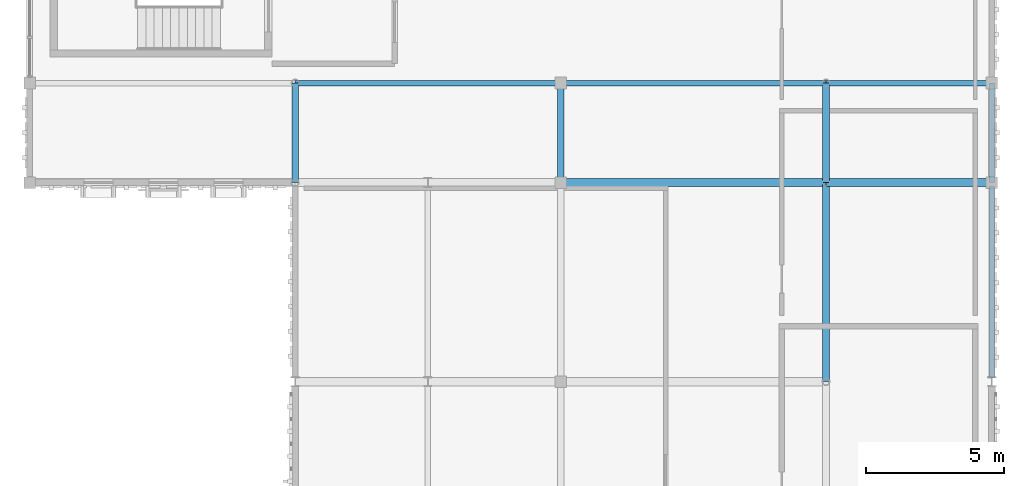
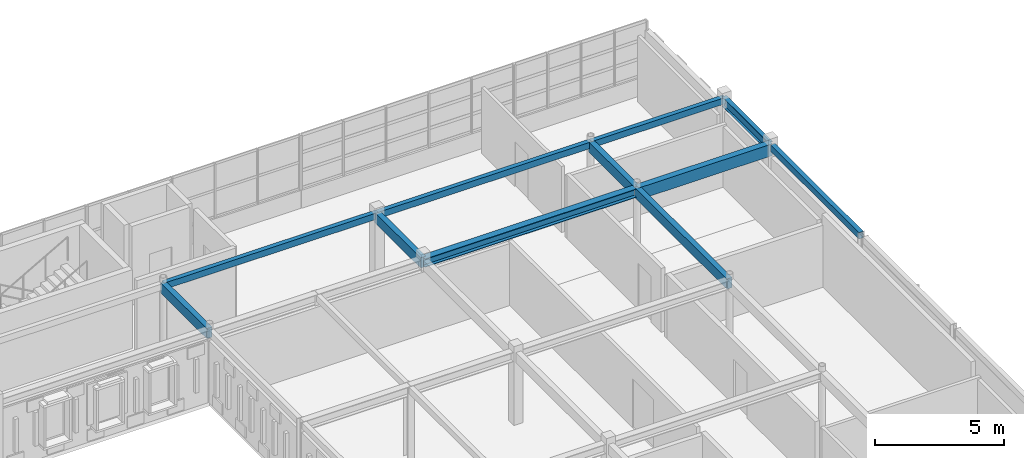
# One storey, part 17 of 46: 11 beams.
"""IFC4 building model written with IfcOpenShell, lengths in metres."""

from ifc_helpers import new_model, si_unit, direction, frame, origin, origin_2d, place, context, subcontext, project, spatial, rectangle, hollow_rectangle, i_section, extrude, material, material_profile, profile_set, type_object, element, save


model = new_model("IFC4")

# Units and contexts
model_context = context("Model", 3, precision=1e-05, world=origin(), true_north=direction((0.0, 1.0)))
body_context = subcontext(model_context, "Body", "Model", "MODEL_VIEW")
ifc_project = project(units=[si_unit("LENGTHUNIT", "METRE"), si_unit("AREAUNIT", "SQUARE_METRE"), si_unit("VOLUMEUNIT", "CUBIC_METRE"), si_unit("PLANEANGLEUNIT", "RADIAN"), si_unit("MASSUNIT", "GRAM", prefix="KILO")], contexts=[model_context])

# Site, building, storey
site_placement = place(None, origin())
site = spatial("IfcSite", under=ifc_project, at=site_placement, CompositionType="ELEMENT")
building_placement = place(site_placement, origin())
building = spatial("IfcBuilding", under=site, at=building_placement, Name="Nzembalo Square Collegiate School", CompositionType="ELEMENT")
storey_placement = place(building_placement, frame((0.0, 0.0, 17.340087890625)))
storey = spatial("IfcBuildingStorey", under=building, at=storey_placement, Name="L04", CompositionType="ELEMENT", Elevation=17.340087890625)

# Beams
ifc_material_1 = material(Name="Glulam GL28h", Category="wood")
ifc_material_profile_1 = material_profile(ifc_material_1, rectangle(XDim=0.280029296875, YDim=0.56005859375, at=origin_2d()), Name="GL28h 280x560")
ifc_profile_set_1 = profile_set([ifc_material_profile_1], Name="Glulam GL28h")
beam_type_1 = type_object("IfcBeamType", Name="B05", PredefinedType="BEAM", material=ifc_profile_set_1)
beam_1_placement = place(storey_placement, frame((159.60009765625, 79.199951171875, 3.155029296875), z_axis=(1.0, 0.0, 0.0), x_axis=(0.0, 1.0, 0.0)))
element("IfcBeam", 1, at=beam_1_placement, inside=storey, type_object=beam_type_1, Name="Beam B05 L04", PredefinedType="BEAM", context=body_context, shape_type="SweptSolid", body=[
    extrude(rectangle(XDim=0.280029296875, YDim=0.56005859375, at=origin_2d()), origin(), (0.0, 0.0, 1.0), 6.0),
])
ifc_material_2 = material(Name="Glulam GL28h", Category="wood")
ifc_material_profile_2 = material_profile(ifc_material_2, rectangle(XDim=0.239990234375, YDim=0.47998046875, at=origin_2d()), Name="GL28h 240x480")
ifc_profile_set_2 = profile_set([ifc_material_profile_2], Name="Glulam GL28h")
beam_type_2 = type_object("IfcBeamType", Name="B06", PredefinedType="BEAM", material=ifc_profile_set_2)
for number, where, z_axis, x_axis, name in (
    (2, (140.39990234375, 79.199951171875, 3.19482421875), (0.0, 1.0, 0.0), (-1.0, 0.0, 0.0), "Beam B06 L04"),
    (3, (150.0, 79.199951171875, 3.19482421875), (0.0, 1.0, 0.0), (-1.0, 0.0, 0.0), "Beam B06 L04"),
):
    element("IfcBeam", number, at=place(storey_placement, frame(where, z_axis=z_axis, x_axis=x_axis)), inside=storey, type_object=beam_type_2, Name=name, PredefinedType="BEAM", context=body_context, shape_type="SweptSolid", body=[
        extrude(rectangle(XDim=0.239990234375, YDim=0.47998046875, at=origin_2d()), origin(), (0.0, 0.0, 1.0), 3.60009765625),
    ])
beam_2_placement = place(storey_placement, frame((159.60009765625, 72.0, 3.19482421875), z_axis=(0.0, 1.0, 0.0), x_axis=(-1.0, 0.0, 0.0)))
element("IfcBeam", 4, at=beam_2_placement, inside=storey, type_object=beam_type_2, Name="Beam B06 L04", PredefinedType="BEAM", context=body_context, shape_type="SweptSolid", body=[
    extrude(rectangle(XDim=0.239990234375, YDim=0.47998046875, at=origin_2d()), origin(), (0.0, 0.0, 1.0), 7.199951171875),
])
beam_3_placement = place(storey_placement, frame((159.60009765625, 79.199951171875, 3.19482421875), z_axis=(0.0, 1.0, 0.0), x_axis=(-1.0, 0.0, 0.0)))
element("IfcBeam", 5, at=beam_3_placement, inside=storey, type_object=beam_type_2, Name="Beam B06 L04", PredefinedType="BEAM", context=body_context, shape_type="SweptSolid", body=[
    extrude(rectangle(XDim=0.239990234375, YDim=0.47998046875, at=origin_2d()), origin(), (0.0, 0.0, 1.0), 3.60009765625),
])
ifc_material_3 = material(Name="Steel S355", Category="steel")
ifc_material_profile_3 = material_profile(ifc_material_3, i_section(OverallWidth=0.18994140625, OverallDepth=0.449951171875, WebThickness=0.009521484375, FlangeThickness=0.0146484375, at=origin_2d()), Name="IPE 450")
ifc_profile_set_3 = profile_set([ifc_material_profile_3], Name="Steel S355")
beam_type_3 = type_object("IfcBeamType", Name="B09", PredefinedType="BEAM", material=ifc_profile_set_3)
beam_4_placement = place(storey_placement, frame((165.60009765625, 79.199951171875, 3.2099609375), z_axis=(0.0, 1.0, 0.0), x_axis=(-1.0, 0.0, 0.0)))
element("IfcBeam", 6, at=beam_4_placement, inside=storey, type_object=beam_type_3, Name="Beam B09 L04", PredefinedType="BEAM", context=body_context, shape_type="SweptSolid", body=[
    extrude(i_section(OverallWidth=0.18994140625, OverallDepth=0.449951171875, WebThickness=0.009521484375, FlangeThickness=0.0146484375, at=origin_2d()), origin(), (0.0, 0.0, 1.0), 3.60009765625),
])
ifc_material_4 = material(Name="Steel S355", Category="steel")
ifc_material_profile_4 = material_profile(ifc_material_4, i_section(OverallWidth=0.300048828125, OverallDepth=0.39990234375, WebThickness=0.013427734375, FlangeThickness=0.02392578125, at=origin_2d()), Name="HEB 400")
ifc_profile_set_4 = profile_set([ifc_material_profile_4], Name="Steel S355")
beam_type_4 = type_object("IfcBeamType", Name="B10", PredefinedType="BEAM", material=ifc_profile_set_4)
beam_5_placement = place(storey_placement, frame((150.0, 79.199951171875, 3.23486328125), z_axis=(1.0, 0.0, 0.0), x_axis=(0.0, 1.0, 0.0)))
element("IfcBeam", 7, at=beam_5_placement, inside=storey, type_object=beam_type_4, Name="Beam B10 L04", PredefinedType="BEAM", context=body_context, shape_type="SweptSolid", body=[
    extrude(i_section(OverallWidth=0.300048828125, OverallDepth=0.39990234375, WebThickness=0.013427734375, FlangeThickness=0.02392578125, at=origin_2d()), origin(), (0.0, 0.0, 1.0), 9.60009765625),
])
ifc_material_5 = material(Name="Steel S355", Category="steel")
ifc_material_profile_5 = material_profile(ifc_material_5, hollow_rectangle(XDim=0.199951171875, YDim=0.300048828125, WallThickness=0.011962890625, at=origin_2d()), Name="RHS 300x200x12")
ifc_profile_set_5 = profile_set([ifc_material_profile_5], Name="Steel S355")
beam_type_5 = type_object("IfcBeamType", Name="SP03", PredefinedType="SPANDREL", material=ifc_profile_set_5)
for number, where, z_axis, x_axis, name in (
    (8, (140.39990234375, 82.800048828125, 3.284912109375), (1.0, 0.0, 0.0), (0.0, 1.0, 0.0), "Beam SP03 L04"),
    (9, (150.0, 82.800048828125, 3.284912109375), (1.0, 0.0, 0.0), (0.0, 1.0, 0.0), "Beam SP03 L04"),
):
    element("IfcBeam", number, at=place(storey_placement, frame(where, z_axis=z_axis, x_axis=x_axis)), inside=storey, type_object=beam_type_5, Name=name, PredefinedType="SPANDREL", context=body_context, shape_type="SweptSolid", body=[
        extrude(hollow_rectangle(XDim=0.199951171875, YDim=0.300048828125, WallThickness=0.011962890625, at=origin_2d()), origin(), (0.0, 0.0, 1.0), 9.60009765625),
    ])
beam_6_placement = place(storey_placement, frame((159.60009765625, 82.800048828125, 3.284912109375), z_axis=(1.0, 0.0, 0.0), x_axis=(0.0, 1.0, 0.0)))
element("IfcBeam", 10, at=beam_6_placement, inside=storey, type_object=beam_type_5, Name="Beam SP03 L04", PredefinedType="SPANDREL", context=body_context, shape_type="SweptSolid", body=[
    extrude(hollow_rectangle(XDim=0.199951171875, YDim=0.300048828125, WallThickness=0.011962890625, at=origin_2d()), origin(), (0.0, 0.0, 1.0), 6.0),
])
beam_7_placement = place(storey_placement, frame((165.60009765625, 72.14990234375, 3.284912109375), z_axis=(0.0, 1.0, 0.0), x_axis=(-1.0, 0.0, 0.0)))
element("IfcBeam", 11, at=beam_7_placement, inside=storey, type_object=beam_type_5, Name="Cantilever edge beam SP03 4B L04", PredefinedType="SPANDREL", context=body_context, shape_type="SweptSolid", body=[
    extrude(hollow_rectangle(XDim=0.199951171875, YDim=0.300048828125, WallThickness=0.011962890625, at=origin_2d()), origin(), (0.0, 0.0, 1.0), 6.900146484375),
])

save(model, "model.ifc")
